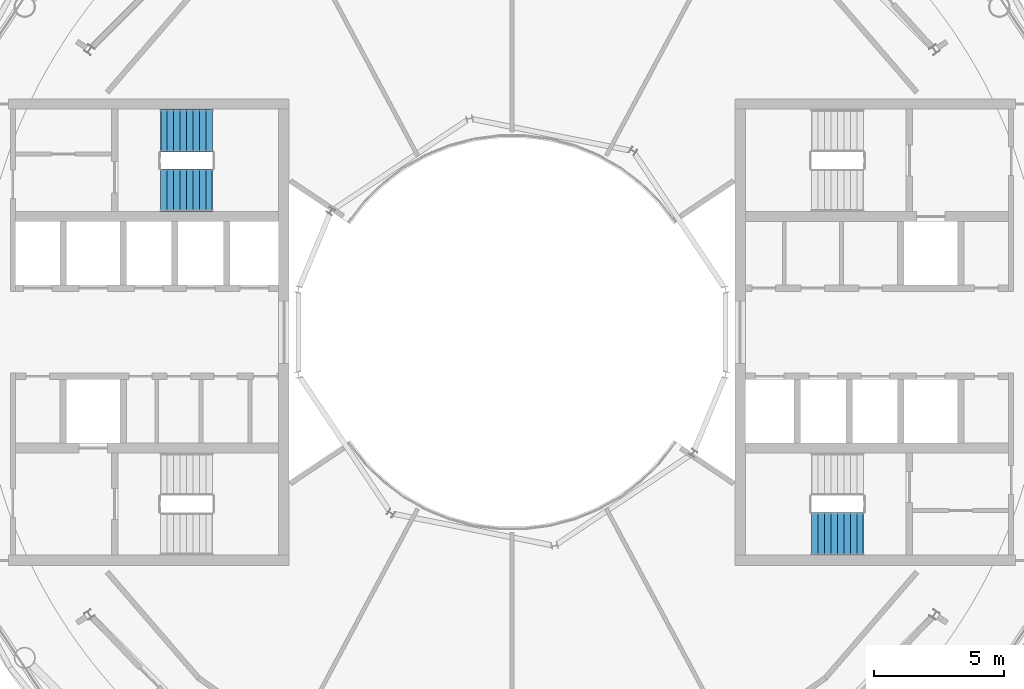
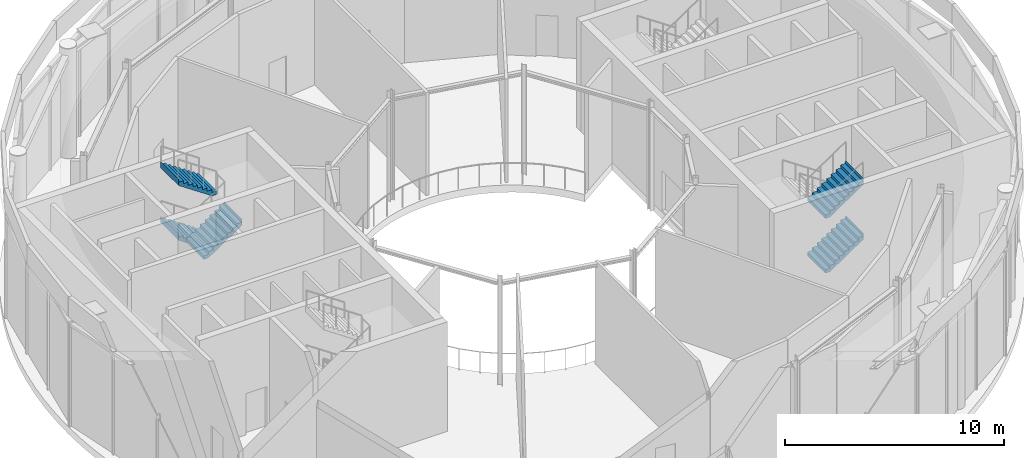
# One storey, part 16 of 20: 5 stair flights, 2 elements without a shape of their own.
"""IFC4 building model written with IfcOpenShell, lengths in metres."""

from ifc_helpers import new_model, si_unit, direction, frame, origin, place, context, subcontext, project, spatial, triangles, material, type_object, element, aggregate, save


model = new_model("IFC4")

# Units and contexts
model_context = context("Model", 3, precision=1e-05, world=origin(), true_north=direction((0.0, 1.0)))
body_context = subcontext(model_context, "Body", "Model", "MODEL_VIEW")
ifc_project = project(units=[si_unit("LENGTHUNIT", "METRE"), si_unit("AREAUNIT", "SQUARE_METRE"), si_unit("VOLUMEUNIT", "CUBIC_METRE"), si_unit("PLANEANGLEUNIT", "RADIAN"), si_unit("MASSUNIT", "GRAM", prefix="KILO")], contexts=[model_context])

# Site, building, storey
site_placement = place(None, origin())
site = spatial("IfcSite", under=ifc_project, at=site_placement, CompositionType="ELEMENT")
building_placement = place(site_placement, origin())
building = spatial("IfcBuilding", under=site, at=building_placement, Name="Maasbend Ring Residences", CompositionType="ELEMENT")
storey_placement = place(building_placement, frame((0.0, 0.0, 255.39990234375)))
storey = spatial("IfcBuildingStorey", under=building, at=storey_placement, Name="L74", CompositionType="ELEMENT", Elevation=255.39990234375)

# Stair, stair flights
ifc_material_1 = material(Name="Concrete C40/50", Category="concrete")
stair_type = type_object("IfcStairType", Name="CORE STAIR 36 RISERS", PredefinedType="HALF_TURN_STAIR", material=ifc_material_1)
stair_1_placement = place(storey_placement, origin())
stair_1 = element("IfcStair", 1, at=stair_1_placement, inside=storey, type_object=stair_type, Name="L74 Exit stair ST-E2", PredefinedType="HALF_TURN_STAIR")
ifc_material_2 = material(Name="Concrete C40/50", Category="concrete")
stair_flight_type = type_object("IfcStairFlightType", Name="CORE STAIR FLIGHT 1650", PredefinedType="STRAIGHT", material=ifc_material_2)
stair_flight_1_placement = place(storey_placement, frame((11.550048828125, -7.77490234375, 1.525146484375), z_axis=(0.0, 0.0, 1.0), x_axis=(1.0, 0.0, 0.0)))
stair_flight_1 = element("IfcStairFlight", 2, at=stair_flight_1_placement, type_object=stair_flight_type, Name="ST-E2 flight 2", NumberOfRisers=9, NumberOfTreads=8, PredefinedType="STRAIGHT", RiserHeight=0.169444444, TreadLength=0.25, context=body_context, shape_type="Tessellation", body=[
    triangles([(0.24072265625, 0.824951171875, -0.02001953125), (2.0029296875, 0.824951171875, 1.174560546875), (2.0029296875, 0.824951171875, 1.52490234375), (1.989990234375, 0.824951171875, 1.35546875), (1.75, 0.824951171875, 1.35546875), (1.75, 0.824951171875, 1.18603515625), (1.5, 0.824951171875, 1.18603515625), (1.5, 0.824951171875, 1.0166015625), (1.25, 0.824951171875, 1.0166015625), (1.25, 0.824951171875, 0.84716796875), (1.0, 0.824951171875, 0.84716796875), (1.0, 0.824951171875, 0.677734375), (0.75, 0.824951171875, 0.677734375), (0.75, 0.824951171875, 0.50830078125), (0.5, 0.824951171875, 0.50830078125), (0.5, 0.824951171875, 0.3388671875), (0.25, 0.824951171875, 0.3388671875), (0.25, 0.824951171875, 0.16943359375), (0.0, 0.824951171875, 0.16943359375), (0.0, 0.824951171875, 0.0), (-0.0029296875, 0.824951171875, 0.0), (-0.0029296875, 0.824951171875, -0.02001953125), (0.24072265625, 0.27490234375, -0.02001953125), (2.0029296875, 0.27490234375, 1.174560546875), (2.0029296875, 0.27490234375, 1.52490234375), (1.989990234375, 0.27490234375, 1.35546875), (1.75, 0.27490234375, 1.35546875), (1.75, 0.27490234375, 1.18603515625), (1.5, 0.27490234375, 1.18603515625), (1.5, 0.27490234375, 1.0166015625), (1.25, 0.27490234375, 1.0166015625), (1.25, 0.27490234375, 0.84716796875), (1.0, 0.27490234375, 0.84716796875), (1.0, 0.27490234375, 0.677734375), (0.75, 0.27490234375, 0.677734375), (0.75, 0.27490234375, 0.50830078125), (0.5, 0.27490234375, 0.50830078125), (0.5, 0.27490234375, 0.3388671875), (0.25, 0.27490234375, 0.3388671875), (0.25, 0.27490234375, 0.16943359375), (0.0, 0.27490234375, 0.16943359375), (0.0, 0.27490234375, 0.0), (-0.0029296875, 0.27490234375, 0.0), (-0.0029296875, 0.27490234375, -0.02001953125), (0.24072265625, -0.27490234375, -0.02001953125), (2.0029296875, -0.27490234375, 1.174560546875), (2.0029296875, -0.27490234375, 1.52490234375), (1.989990234375, -0.27490234375, 1.35546875), (1.75, -0.27490234375, 1.35546875), (1.75, -0.27490234375, 1.18603515625), (1.5, -0.27490234375, 1.18603515625), (1.5, -0.27490234375, 1.0166015625), (1.25, -0.27490234375, 1.0166015625), (1.25, -0.27490234375, 0.84716796875), (1.0, -0.27490234375, 0.84716796875), (1.0, -0.27490234375, 0.677734375), (0.75, -0.27490234375, 0.677734375), (0.75, -0.27490234375, 0.50830078125), (0.5, -0.27490234375, 0.50830078125), (0.5, -0.27490234375, 0.3388671875), (0.25, -0.27490234375, 0.3388671875), (0.25, -0.27490234375, 0.16943359375), (0.0, -0.27490234375, 0.16943359375), (0.0, -0.27490234375, 0.0), (-0.0029296875, -0.27490234375, 0.0), (-0.0029296875, -0.27490234375, -0.02001953125), (0.24072265625, -0.824951171875, -0.02001953125), (2.0029296875, -0.824951171875, 1.174560546875), (2.0029296875, -0.824951171875, 1.52490234375), (1.989990234375, -0.824951171875, 1.35546875), (1.75, -0.824951171875, 1.35546875), (1.75, -0.824951171875, 1.18603515625), (1.5, -0.824951171875, 1.18603515625), (1.5, -0.824951171875, 1.0166015625), (1.25, -0.824951171875, 1.0166015625), (1.25, -0.824951171875, 0.84716796875), (1.0, -0.824951171875, 0.84716796875), (1.0, -0.824951171875, 0.677734375), (0.75, -0.824951171875, 0.677734375), (0.75, -0.824951171875, 0.50830078125), (0.5, -0.824951171875, 0.50830078125), (0.5, -0.824951171875, 0.3388671875), (0.25, -0.824951171875, 0.3388671875), (0.25, -0.824951171875, 0.16943359375), (0.0, -0.824951171875, 0.16943359375), (0.0, -0.824951171875, 0.0), (-0.0029296875, -0.824951171875, 0.0), (-0.0029296875, -0.824951171875, -0.02001953125)], [[1, 2, 24], [1, 24, 23], [23, 24, 46], [23, 46, 45], [45, 46, 68], [45, 68, 67], [2, 3, 25], [2, 25, 24], [24, 25, 47], [24, 47, 46], [46, 47, 69], [46, 69, 68], [3, 4, 26], [3, 26, 25], [25, 26, 48], [25, 48, 47], [47, 48, 70], [47, 70, 69], [4, 5, 27], [4, 27, 26], [26, 27, 49], [26, 49, 48], [48, 49, 71], [48, 71, 70], [5, 6, 28], [5, 28, 27], [27, 28, 50], [27, 50, 49], [49, 50, 72], [49, 72, 71], [6, 7, 29], [6, 29, 28], [28, 29, 51], [28, 51, 50], [50, 51, 73], [50, 73, 72], [7, 8, 30], [7, 30, 29], [29, 30, 52], [29, 52, 51], [51, 52, 74], [51, 74, 73], [8, 9, 31], [8, 31, 30], [30, 31, 53], [30, 53, 52], [52, 53, 75], [52, 75, 74], [9, 10, 32], [9, 32, 31], [31, 32, 54], [31, 54, 53], [53, 54, 76], [53, 76, 75], [10, 11, 33], [10, 33, 32], [32, 33, 55], [32, 55, 54], [54, 55, 77], [54, 77, 76], [11, 12, 34], [11, 34, 33], [33, 34, 56], [33, 56, 55], [55, 56, 78], [55, 78, 77], [12, 13, 35], [12, 35, 34], [34, 35, 57], [34, 57, 56], [56, 57, 79], [56, 79, 78], [13, 14, 36], [13, 36, 35], [35, 36, 58], [35, 58, 57], [57, 58, 80], [57, 80, 79], [14, 15, 37], [14, 37, 36], [36, 37, 59], [36, 59, 58], [58, 59, 81], [58, 81, 80], [15, 16, 38], [15, 38, 37], [37, 38, 60], [37, 60, 59], [59, 60, 82], [59, 82, 81], [16, 17, 39], [16, 39, 38], [38, 39, 61], [38, 61, 60], [60, 61, 83], [60, 83, 82], [17, 18, 40], [17, 40, 39], [39, 40, 62], [39, 62, 61], [61, 62, 84], [61, 84, 83], [18, 19, 41], [18, 41, 40], [40, 41, 63], [40, 63, 62], [62, 63, 85], [62, 85, 84], [19, 20, 42], [19, 42, 41], [41, 42, 64], [41, 64, 63], [63, 64, 86], [63, 86, 85], [20, 21, 43], [20, 43, 42], [42, 43, 65], [42, 65, 64], [64, 65, 87], [64, 87, 86], [21, 22, 44], [21, 44, 43], [43, 44, 66], [43, 66, 65], [65, 66, 88], [65, 88, 87], [22, 1, 23], [22, 23, 44], [44, 23, 45], [44, 45, 66], [66, 45, 67], [66, 67, 88], [22, 2, 1], [2, 4, 3], [2, 5, 4], [2, 6, 5], [22, 6, 2], [6, 8, 7], [22, 8, 6], [8, 10, 9], [22, 10, 8], [10, 12, 11], [22, 12, 10], [12, 14, 13], [22, 14, 12], [14, 16, 15], [22, 16, 14], [16, 18, 17], [22, 18, 16], [18, 20, 19], [22, 20, 18], [20, 22, 21], [88, 67, 68], [68, 69, 70], [68, 70, 71], [68, 71, 72], [88, 68, 72], [72, 73, 74], [88, 72, 74], [74, 75, 76], [88, 74, 76], [76, 77, 78], [88, 76, 78], [78, 79, 80], [88, 78, 80], [80, 81, 82], [88, 80, 82], [82, 83, 84], [88, 82, 84], [84, 85, 86], [88, 84, 86], [86, 87, 88]], closed=True),
])
stair_flight_2_placement = place(storey_placement, frame((11.550048828125, -7.77490234375, 4.5751953125), z_axis=(0.0, 0.0, 1.0), x_axis=(1.0, 0.0, 0.0)))
stair_flight_2 = element("IfcStairFlight", 3, at=stair_flight_2_placement, type_object=stair_flight_type, Name="ST-E2 flight 4", NumberOfRisers=9, NumberOfTreads=8, PredefinedType="STRAIGHT", RiserHeight=0.169444444, TreadLength=0.25, context=body_context, shape_type="Tessellation", body=[
    triangles([(0.24072265625, 0.824951171875, -0.02001953125), (2.0029296875, 0.824951171875, 1.174560546875), (2.0029296875, 0.824951171875, 1.52490234375), (1.989990234375, 0.824951171875, 1.35546875), (1.75, 0.824951171875, 1.35546875), (1.75, 0.824951171875, 1.18603515625), (1.5, 0.824951171875, 1.18603515625), (1.5, 0.824951171875, 1.0166015625), (1.25, 0.824951171875, 1.0166015625), (1.25, 0.824951171875, 0.84716796875), (1.0, 0.824951171875, 0.84716796875), (1.0, 0.824951171875, 0.677734375), (0.75, 0.824951171875, 0.677734375), (0.75, 0.824951171875, 0.50830078125), (0.5, 0.824951171875, 0.50830078125), (0.5, 0.824951171875, 0.3388671875), (0.25, 0.824951171875, 0.3388671875), (0.25, 0.824951171875, 0.16943359375), (0.0, 0.824951171875, 0.16943359375), (0.0, 0.824951171875, 0.0), (-0.0029296875, 0.824951171875, 0.0), (-0.0029296875, 0.824951171875, -0.02001953125), (0.24072265625, 0.27490234375, -0.02001953125), (2.0029296875, 0.27490234375, 1.174560546875), (2.0029296875, 0.27490234375, 1.52490234375), (1.989990234375, 0.27490234375, 1.35546875), (1.75, 0.27490234375, 1.35546875), (1.75, 0.27490234375, 1.18603515625), (1.5, 0.27490234375, 1.18603515625), (1.5, 0.27490234375, 1.0166015625), (1.25, 0.27490234375, 1.0166015625), (1.25, 0.27490234375, 0.84716796875), (1.0, 0.27490234375, 0.84716796875), (1.0, 0.27490234375, 0.677734375), (0.75, 0.27490234375, 0.677734375), (0.75, 0.27490234375, 0.50830078125), (0.5, 0.27490234375, 0.50830078125), (0.5, 0.27490234375, 0.3388671875), (0.25, 0.27490234375, 0.3388671875), (0.25, 0.27490234375, 0.16943359375), (0.0, 0.27490234375, 0.16943359375), (0.0, 0.27490234375, 0.0), (-0.0029296875, 0.27490234375, 0.0), (-0.0029296875, 0.27490234375, -0.02001953125), (0.24072265625, -0.27490234375, -0.02001953125), (2.0029296875, -0.27490234375, 1.174560546875), (2.0029296875, -0.27490234375, 1.52490234375), (1.989990234375, -0.27490234375, 1.35546875), (1.75, -0.27490234375, 1.35546875), (1.75, -0.27490234375, 1.18603515625), (1.5, -0.27490234375, 1.18603515625), (1.5, -0.27490234375, 1.0166015625), (1.25, -0.27490234375, 1.0166015625), (1.25, -0.27490234375, 0.84716796875), (1.0, -0.27490234375, 0.84716796875), (1.0, -0.27490234375, 0.677734375), (0.75, -0.27490234375, 0.677734375), (0.75, -0.27490234375, 0.50830078125), (0.5, -0.27490234375, 0.50830078125), (0.5, -0.27490234375, 0.3388671875), (0.25, -0.27490234375, 0.3388671875), (0.25, -0.27490234375, 0.16943359375), (0.0, -0.27490234375, 0.16943359375), (0.0, -0.27490234375, 0.0), (-0.0029296875, -0.27490234375, 0.0), (-0.0029296875, -0.27490234375, -0.02001953125), (0.24072265625, -0.824951171875, -0.02001953125), (2.0029296875, -0.824951171875, 1.174560546875), (2.0029296875, -0.824951171875, 1.52490234375), (1.989990234375, -0.824951171875, 1.35546875), (1.75, -0.824951171875, 1.35546875), (1.75, -0.824951171875, 1.18603515625), (1.5, -0.824951171875, 1.18603515625), (1.5, -0.824951171875, 1.0166015625), (1.25, -0.824951171875, 1.0166015625), (1.25, -0.824951171875, 0.84716796875), (1.0, -0.824951171875, 0.84716796875), (1.0, -0.824951171875, 0.677734375), (0.75, -0.824951171875, 0.677734375), (0.75, -0.824951171875, 0.50830078125), (0.5, -0.824951171875, 0.50830078125), (0.5, -0.824951171875, 0.3388671875), (0.25, -0.824951171875, 0.3388671875), (0.25, -0.824951171875, 0.16943359375), (0.0, -0.824951171875, 0.16943359375), (0.0, -0.824951171875, 0.0), (-0.0029296875, -0.824951171875, 0.0), (-0.0029296875, -0.824951171875, -0.02001953125)], [[1, 2, 24], [1, 24, 23], [23, 24, 46], [23, 46, 45], [45, 46, 68], [45, 68, 67], [2, 3, 25], [2, 25, 24], [24, 25, 47], [24, 47, 46], [46, 47, 69], [46, 69, 68], [3, 4, 26], [3, 26, 25], [25, 26, 48], [25, 48, 47], [47, 48, 70], [47, 70, 69], [4, 5, 27], [4, 27, 26], [26, 27, 49], [26, 49, 48], [48, 49, 71], [48, 71, 70], [5, 6, 28], [5, 28, 27], [27, 28, 50], [27, 50, 49], [49, 50, 72], [49, 72, 71], [6, 7, 29], [6, 29, 28], [28, 29, 51], [28, 51, 50], [50, 51, 73], [50, 73, 72], [7, 8, 30], [7, 30, 29], [29, 30, 52], [29, 52, 51], [51, 52, 74], [51, 74, 73], [8, 9, 31], [8, 31, 30], [30, 31, 53], [30, 53, 52], [52, 53, 75], [52, 75, 74], [9, 10, 32], [9, 32, 31], [31, 32, 54], [31, 54, 53], [53, 54, 76], [53, 76, 75], [10, 11, 33], [10, 33, 32], [32, 33, 55], [32, 55, 54], [54, 55, 77], [54, 77, 76], [11, 12, 34], [11, 34, 33], [33, 34, 56], [33, 56, 55], [55, 56, 78], [55, 78, 77], [12, 13, 35], [12, 35, 34], [34, 35, 57], [34, 57, 56], [56, 57, 79], [56, 79, 78], [13, 14, 36], [13, 36, 35], [35, 36, 58], [35, 58, 57], [57, 58, 80], [57, 80, 79], [14, 15, 37], [14, 37, 36], [36, 37, 59], [36, 59, 58], [58, 59, 81], [58, 81, 80], [15, 16, 38], [15, 38, 37], [37, 38, 60], [37, 60, 59], [59, 60, 82], [59, 82, 81], [16, 17, 39], [16, 39, 38], [38, 39, 61], [38, 61, 60], [60, 61, 83], [60, 83, 82], [17, 18, 40], [17, 40, 39], [39, 40, 62], [39, 62, 61], [61, 62, 84], [61, 84, 83], [18, 19, 41], [18, 41, 40], [40, 41, 63], [40, 63, 62], [62, 63, 85], [62, 85, 84], [19, 20, 42], [19, 42, 41], [41, 42, 64], [41, 64, 63], [63, 64, 86], [63, 86, 85], [20, 21, 43], [20, 43, 42], [42, 43, 65], [42, 65, 64], [64, 65, 87], [64, 87, 86], [21, 22, 44], [21, 44, 43], [43, 44, 66], [43, 66, 65], [65, 66, 88], [65, 88, 87], [22, 1, 23], [22, 23, 44], [44, 23, 45], [44, 45, 66], [66, 45, 67], [66, 67, 88], [22, 2, 1], [2, 4, 3], [2, 5, 4], [2, 6, 5], [22, 6, 2], [6, 8, 7], [22, 8, 6], [8, 10, 9], [22, 10, 8], [10, 12, 11], [22, 12, 10], [12, 14, 13], [22, 14, 12], [14, 16, 15], [22, 16, 14], [16, 18, 17], [22, 18, 16], [18, 20, 19], [22, 20, 18], [20, 22, 21], [88, 67, 68], [68, 69, 70], [68, 70, 71], [68, 71, 72], [88, 68, 72], [72, 73, 74], [88, 72, 74], [74, 75, 76], [88, 74, 76], [76, 77, 78], [88, 76, 78], [78, 79, 80], [88, 78, 80], [80, 81, 82], [88, 80, 82], [82, 83, 84], [88, 82, 84], [84, 85, 86], [88, 84, 86], [86, 87, 88]], closed=True),
])
aggregate(stair_1, [stair_flight_1, stair_flight_2])

stair_2_placement = place(storey_placement, origin())
stair_2 = element("IfcStair", 4, at=stair_2_placement, inside=storey, type_object=stair_type, Name="L74 Exit stair ST-W2", PredefinedType="HALF_TURN_STAIR")
stair_flight_3_placement = place(storey_placement, frame((-11.550048828125, 7.77490234375, 1.525146484375), z_axis=(0.0, 0.0, 1.0), x_axis=(-1.0, 0.0, 0.0)))
stair_flight_3 = element("IfcStairFlight", 5, at=stair_flight_3_placement, type_object=stair_flight_type, Name="ST-W2 flight 2", NumberOfRisers=9, NumberOfTreads=8, PredefinedType="STRAIGHT", RiserHeight=0.169444444, TreadLength=0.25, context=body_context, shape_type="Tessellation", body=[
    triangles([(0.24072265625, 0.824951171875, -0.02001953125), (2.0029296875, 0.824951171875, 1.174560546875), (2.0029296875, 0.824951171875, 1.52490234375), (1.989990234375, 0.824951171875, 1.35546875), (1.75, 0.824951171875, 1.35546875), (1.75, 0.824951171875, 1.18603515625), (1.5, 0.824951171875, 1.18603515625), (1.5, 0.824951171875, 1.0166015625), (1.25, 0.824951171875, 1.0166015625), (1.25, 0.824951171875, 0.84716796875), (1.0, 0.824951171875, 0.84716796875), (1.0, 0.824951171875, 0.677734375), (0.75, 0.824951171875, 0.677734375), (0.75, 0.824951171875, 0.50830078125), (0.5, 0.824951171875, 0.50830078125), (0.5, 0.824951171875, 0.3388671875), (0.25, 0.824951171875, 0.3388671875), (0.25, 0.824951171875, 0.16943359375), (0.0, 0.824951171875, 0.16943359375), (0.0, 0.824951171875, 0.0), (-0.0029296875, 0.824951171875, 0.0), (-0.0029296875, 0.824951171875, -0.02001953125), (0.24072265625, 0.27490234375, -0.02001953125), (2.0029296875, 0.27490234375, 1.174560546875), (2.0029296875, 0.27490234375, 1.52490234375), (1.989990234375, 0.27490234375, 1.35546875), (1.75, 0.27490234375, 1.35546875), (1.75, 0.27490234375, 1.18603515625), (1.5, 0.27490234375, 1.18603515625), (1.5, 0.27490234375, 1.0166015625), (1.25, 0.27490234375, 1.0166015625), (1.25, 0.27490234375, 0.84716796875), (1.0, 0.27490234375, 0.84716796875), (1.0, 0.27490234375, 0.677734375), (0.75, 0.27490234375, 0.677734375), (0.75, 0.27490234375, 0.50830078125), (0.5, 0.27490234375, 0.50830078125), (0.5, 0.27490234375, 0.3388671875), (0.25, 0.27490234375, 0.3388671875), (0.25, 0.27490234375, 0.16943359375), (0.0, 0.27490234375, 0.16943359375), (0.0, 0.27490234375, 0.0), (-0.0029296875, 0.27490234375, 0.0), (-0.0029296875, 0.27490234375, -0.02001953125), (0.24072265625, -0.27490234375, -0.02001953125), (2.0029296875, -0.27490234375, 1.174560546875), (2.0029296875, -0.27490234375, 1.52490234375), (1.989990234375, -0.27490234375, 1.35546875), (1.75, -0.27490234375, 1.35546875), (1.75, -0.27490234375, 1.18603515625), (1.5, -0.27490234375, 1.18603515625), (1.5, -0.27490234375, 1.0166015625), (1.25, -0.27490234375, 1.0166015625), (1.25, -0.27490234375, 0.84716796875), (1.0, -0.27490234375, 0.84716796875), (1.0, -0.27490234375, 0.677734375), (0.75, -0.27490234375, 0.677734375), (0.75, -0.27490234375, 0.50830078125), (0.5, -0.27490234375, 0.50830078125), (0.5, -0.27490234375, 0.3388671875), (0.25, -0.27490234375, 0.3388671875), (0.25, -0.27490234375, 0.16943359375), (0.0, -0.27490234375, 0.16943359375), (0.0, -0.27490234375, 0.0), (-0.0029296875, -0.27490234375, 0.0), (-0.0029296875, -0.27490234375, -0.02001953125), (0.24072265625, -0.824951171875, -0.02001953125), (2.0029296875, -0.824951171875, 1.174560546875), (2.0029296875, -0.824951171875, 1.52490234375), (1.989990234375, -0.824951171875, 1.35546875), (1.75, -0.824951171875, 1.35546875), (1.75, -0.824951171875, 1.18603515625), (1.5, -0.824951171875, 1.18603515625), (1.5, -0.824951171875, 1.0166015625), (1.25, -0.824951171875, 1.0166015625), (1.25, -0.824951171875, 0.84716796875), (1.0, -0.824951171875, 0.84716796875), (1.0, -0.824951171875, 0.677734375), (0.75, -0.824951171875, 0.677734375), (0.75, -0.824951171875, 0.50830078125), (0.5, -0.824951171875, 0.50830078125), (0.5, -0.824951171875, 0.3388671875), (0.25, -0.824951171875, 0.3388671875), (0.25, -0.824951171875, 0.16943359375), (0.0, -0.824951171875, 0.16943359375), (0.0, -0.824951171875, 0.0), (-0.0029296875, -0.824951171875, 0.0), (-0.0029296875, -0.824951171875, -0.02001953125)], [[1, 2, 24], [1, 24, 23], [23, 24, 46], [23, 46, 45], [45, 46, 68], [45, 68, 67], [2, 3, 25], [2, 25, 24], [24, 25, 47], [24, 47, 46], [46, 47, 69], [46, 69, 68], [3, 4, 26], [3, 26, 25], [25, 26, 48], [25, 48, 47], [47, 48, 70], [47, 70, 69], [4, 5, 27], [4, 27, 26], [26, 27, 49], [26, 49, 48], [48, 49, 71], [48, 71, 70], [5, 6, 28], [5, 28, 27], [27, 28, 50], [27, 50, 49], [49, 50, 72], [49, 72, 71], [6, 7, 29], [6, 29, 28], [28, 29, 51], [28, 51, 50], [50, 51, 73], [50, 73, 72], [7, 8, 30], [7, 30, 29], [29, 30, 52], [29, 52, 51], [51, 52, 74], [51, 74, 73], [8, 9, 31], [8, 31, 30], [30, 31, 53], [30, 53, 52], [52, 53, 75], [52, 75, 74], [9, 10, 32], [9, 32, 31], [31, 32, 54], [31, 54, 53], [53, 54, 76], [53, 76, 75], [10, 11, 33], [10, 33, 32], [32, 33, 55], [32, 55, 54], [54, 55, 77], [54, 77, 76], [11, 12, 34], [11, 34, 33], [33, 34, 56], [33, 56, 55], [55, 56, 78], [55, 78, 77], [12, 13, 35], [12, 35, 34], [34, 35, 57], [34, 57, 56], [56, 57, 79], [56, 79, 78], [13, 14, 36], [13, 36, 35], [35, 36, 58], [35, 58, 57], [57, 58, 80], [57, 80, 79], [14, 15, 37], [14, 37, 36], [36, 37, 59], [36, 59, 58], [58, 59, 81], [58, 81, 80], [15, 16, 38], [15, 38, 37], [37, 38, 60], [37, 60, 59], [59, 60, 82], [59, 82, 81], [16, 17, 39], [16, 39, 38], [38, 39, 61], [38, 61, 60], [60, 61, 83], [60, 83, 82], [17, 18, 40], [17, 40, 39], [39, 40, 62], [39, 62, 61], [61, 62, 84], [61, 84, 83], [18, 19, 41], [18, 41, 40], [40, 41, 63], [40, 63, 62], [62, 63, 85], [62, 85, 84], [19, 20, 42], [19, 42, 41], [41, 42, 64], [41, 64, 63], [63, 64, 86], [63, 86, 85], [20, 21, 43], [20, 43, 42], [42, 43, 65], [42, 65, 64], [64, 65, 87], [64, 87, 86], [21, 22, 44], [21, 44, 43], [43, 44, 66], [43, 66, 65], [65, 66, 88], [65, 88, 87], [22, 1, 23], [22, 23, 44], [44, 23, 45], [44, 45, 66], [66, 45, 67], [66, 67, 88], [22, 2, 1], [2, 4, 3], [2, 5, 4], [2, 6, 5], [22, 6, 2], [6, 8, 7], [22, 8, 6], [8, 10, 9], [22, 10, 8], [10, 12, 11], [22, 12, 10], [12, 14, 13], [22, 14, 12], [14, 16, 15], [22, 16, 14], [16, 18, 17], [22, 18, 16], [18, 20, 19], [22, 20, 18], [20, 22, 21], [88, 67, 68], [68, 69, 70], [68, 70, 71], [68, 71, 72], [88, 68, 72], [72, 73, 74], [88, 72, 74], [74, 75, 76], [88, 74, 76], [76, 77, 78], [88, 76, 78], [78, 79, 80], [88, 78, 80], [80, 81, 82], [88, 80, 82], [82, 83, 84], [88, 82, 84], [84, 85, 86], [88, 84, 86], [86, 87, 88]], closed=True),
])
stair_flight_4_placement = place(storey_placement, frame((-13.550048828125, 5.47509765625, 3.050048828125), z_axis=(0.0, 0.0, 1.0), x_axis=(1.0, 0.0, 0.0)))
stair_flight_4 = element("IfcStairFlight", 6, at=stair_flight_4_placement, type_object=stair_flight_type, Name="ST-W2 flight 3", NumberOfRisers=9, NumberOfTreads=8, PredefinedType="STRAIGHT", RiserHeight=0.169444444, TreadLength=0.25, context=body_context, shape_type="Tessellation", body=[
    triangles([(0.24072265625, 0.824951171875, -0.02001953125), (2.0029296875, 0.824951171875, 1.174560546875), (2.0029296875, 0.824951171875, 1.52490234375), (1.989990234375, 0.824951171875, 1.35546875), (1.75, 0.824951171875, 1.35546875), (1.75, 0.824951171875, 1.18603515625), (1.5, 0.824951171875, 1.18603515625), (1.5, 0.824951171875, 1.0166015625), (1.25, 0.824951171875, 1.0166015625), (1.25, 0.824951171875, 0.84716796875), (1.0, 0.824951171875, 0.84716796875), (1.0, 0.824951171875, 0.677734375), (0.75, 0.824951171875, 0.677734375), (0.75, 0.824951171875, 0.50830078125), (0.5, 0.824951171875, 0.50830078125), (0.5, 0.824951171875, 0.3388671875), (0.25, 0.824951171875, 0.3388671875), (0.25, 0.824951171875, 0.16943359375), (0.0, 0.824951171875, 0.16943359375), (0.0, 0.824951171875, 0.0), (-0.0029296875, 0.824951171875, 0.0), (-0.0029296875, 0.824951171875, -0.02001953125), (0.24072265625, 0.27490234375, -0.02001953125), (2.0029296875, 0.27490234375, 1.174560546875), (2.0029296875, 0.27490234375, 1.52490234375), (1.989990234375, 0.27490234375, 1.35546875), (1.75, 0.27490234375, 1.35546875), (1.75, 0.27490234375, 1.18603515625), (1.5, 0.27490234375, 1.18603515625), (1.5, 0.27490234375, 1.0166015625), (1.25, 0.27490234375, 1.0166015625), (1.25, 0.27490234375, 0.84716796875), (1.0, 0.27490234375, 0.84716796875), (1.0, 0.27490234375, 0.677734375), (0.75, 0.27490234375, 0.677734375), (0.75, 0.27490234375, 0.50830078125), (0.5, 0.27490234375, 0.50830078125), (0.5, 0.27490234375, 0.3388671875), (0.25, 0.27490234375, 0.3388671875), (0.25, 0.27490234375, 0.16943359375), (0.0, 0.27490234375, 0.16943359375), (0.0, 0.27490234375, 0.0), (-0.0029296875, 0.27490234375, 0.0), (-0.0029296875, 0.27490234375, -0.02001953125), (0.24072265625, -0.27490234375, -0.02001953125), (2.0029296875, -0.27490234375, 1.174560546875), (2.0029296875, -0.27490234375, 1.52490234375), (1.989990234375, -0.27490234375, 1.35546875), (1.75, -0.27490234375, 1.35546875), (1.75, -0.27490234375, 1.18603515625), (1.5, -0.27490234375, 1.18603515625), (1.5, -0.27490234375, 1.0166015625), (1.25, -0.27490234375, 1.0166015625), (1.25, -0.27490234375, 0.84716796875), (1.0, -0.27490234375, 0.84716796875), (1.0, -0.27490234375, 0.677734375), (0.75, -0.27490234375, 0.677734375), (0.75, -0.27490234375, 0.50830078125), (0.5, -0.27490234375, 0.50830078125), (0.5, -0.27490234375, 0.3388671875), (0.25, -0.27490234375, 0.3388671875), (0.25, -0.27490234375, 0.16943359375), (0.0, -0.27490234375, 0.16943359375), (0.0, -0.27490234375, 0.0), (-0.0029296875, -0.27490234375, 0.0), (-0.0029296875, -0.27490234375, -0.02001953125), (0.24072265625, -0.824951171875, -0.02001953125), (2.0029296875, -0.824951171875, 1.174560546875), (2.0029296875, -0.824951171875, 1.52490234375), (1.989990234375, -0.824951171875, 1.35546875), (1.75, -0.824951171875, 1.35546875), (1.75, -0.824951171875, 1.18603515625), (1.5, -0.824951171875, 1.18603515625), (1.5, -0.824951171875, 1.0166015625), (1.25, -0.824951171875, 1.0166015625), (1.25, -0.824951171875, 0.84716796875), (1.0, -0.824951171875, 0.84716796875), (1.0, -0.824951171875, 0.677734375), (0.75, -0.824951171875, 0.677734375), (0.75, -0.824951171875, 0.50830078125), (0.5, -0.824951171875, 0.50830078125), (0.5, -0.824951171875, 0.3388671875), (0.25, -0.824951171875, 0.3388671875), (0.25, -0.824951171875, 0.16943359375), (0.0, -0.824951171875, 0.16943359375), (0.0, -0.824951171875, 0.0), (-0.0029296875, -0.824951171875, 0.0), (-0.0029296875, -0.824951171875, -0.02001953125)], [[1, 2, 24], [1, 24, 23], [23, 24, 46], [23, 46, 45], [45, 46, 68], [45, 68, 67], [2, 3, 25], [2, 25, 24], [24, 25, 47], [24, 47, 46], [46, 47, 69], [46, 69, 68], [3, 4, 26], [3, 26, 25], [25, 26, 48], [25, 48, 47], [47, 48, 70], [47, 70, 69], [4, 5, 27], [4, 27, 26], [26, 27, 49], [26, 49, 48], [48, 49, 71], [48, 71, 70], [5, 6, 28], [5, 28, 27], [27, 28, 50], [27, 50, 49], [49, 50, 72], [49, 72, 71], [6, 7, 29], [6, 29, 28], [28, 29, 51], [28, 51, 50], [50, 51, 73], [50, 73, 72], [7, 8, 30], [7, 30, 29], [29, 30, 52], [29, 52, 51], [51, 52, 74], [51, 74, 73], [8, 9, 31], [8, 31, 30], [30, 31, 53], [30, 53, 52], [52, 53, 75], [52, 75, 74], [9, 10, 32], [9, 32, 31], [31, 32, 54], [31, 54, 53], [53, 54, 76], [53, 76, 75], [10, 11, 33], [10, 33, 32], [32, 33, 55], [32, 55, 54], [54, 55, 77], [54, 77, 76], [11, 12, 34], [11, 34, 33], [33, 34, 56], [33, 56, 55], [55, 56, 78], [55, 78, 77], [12, 13, 35], [12, 35, 34], [34, 35, 57], [34, 57, 56], [56, 57, 79], [56, 79, 78], [13, 14, 36], [13, 36, 35], [35, 36, 58], [35, 58, 57], [57, 58, 80], [57, 80, 79], [14, 15, 37], [14, 37, 36], [36, 37, 59], [36, 59, 58], [58, 59, 81], [58, 81, 80], [15, 16, 38], [15, 38, 37], [37, 38, 60], [37, 60, 59], [59, 60, 82], [59, 82, 81], [16, 17, 39], [16, 39, 38], [38, 39, 61], [38, 61, 60], [60, 61, 83], [60, 83, 82], [17, 18, 40], [17, 40, 39], [39, 40, 62], [39, 62, 61], [61, 62, 84], [61, 84, 83], [18, 19, 41], [18, 41, 40], [40, 41, 63], [40, 63, 62], [62, 63, 85], [62, 85, 84], [19, 20, 42], [19, 42, 41], [41, 42, 64], [41, 64, 63], [63, 64, 86], [63, 86, 85], [20, 21, 43], [20, 43, 42], [42, 43, 65], [42, 65, 64], [64, 65, 87], [64, 87, 86], [21, 22, 44], [21, 44, 43], [43, 44, 66], [43, 66, 65], [65, 66, 88], [65, 88, 87], [22, 1, 23], [22, 23, 44], [44, 23, 45], [44, 45, 66], [66, 45, 67], [66, 67, 88], [22, 2, 1], [2, 4, 3], [2, 5, 4], [2, 6, 5], [22, 6, 2], [6, 8, 7], [22, 8, 6], [8, 10, 9], [22, 10, 8], [10, 12, 11], [22, 12, 10], [12, 14, 13], [22, 14, 12], [14, 16, 15], [22, 16, 14], [16, 18, 17], [22, 18, 16], [18, 20, 19], [22, 20, 18], [20, 22, 21], [88, 67, 68], [68, 69, 70], [68, 70, 71], [68, 71, 72], [88, 68, 72], [72, 73, 74], [88, 72, 74], [74, 75, 76], [88, 74, 76], [76, 77, 78], [88, 76, 78], [78, 79, 80], [88, 78, 80], [80, 81, 82], [88, 80, 82], [82, 83, 84], [88, 82, 84], [84, 85, 86], [88, 84, 86], [86, 87, 88]], closed=True),
])
stair_flight_5_placement = place(storey_placement, frame((-11.550048828125, 7.77490234375, 4.5751953125), z_axis=(0.0, 0.0, 1.0), x_axis=(-1.0, 0.0, 0.0)))
stair_flight_5 = element("IfcStairFlight", 7, at=stair_flight_5_placement, type_object=stair_flight_type, Name="ST-W2 flight 4", NumberOfRisers=9, NumberOfTreads=8, PredefinedType="STRAIGHT", RiserHeight=0.169444444, TreadLength=0.25, context=body_context, shape_type="Tessellation", body=[
    triangles([(0.24072265625, 0.824951171875, -0.02001953125), (2.0029296875, 0.824951171875, 1.174560546875), (2.0029296875, 0.824951171875, 1.52490234375), (1.989990234375, 0.824951171875, 1.35546875), (1.75, 0.824951171875, 1.35546875), (1.75, 0.824951171875, 1.18603515625), (1.5, 0.824951171875, 1.18603515625), (1.5, 0.824951171875, 1.0166015625), (1.25, 0.824951171875, 1.0166015625), (1.25, 0.824951171875, 0.84716796875), (1.0, 0.824951171875, 0.84716796875), (1.0, 0.824951171875, 0.677734375), (0.75, 0.824951171875, 0.677734375), (0.75, 0.824951171875, 0.50830078125), (0.5, 0.824951171875, 0.50830078125), (0.5, 0.824951171875, 0.3388671875), (0.25, 0.824951171875, 0.3388671875), (0.25, 0.824951171875, 0.16943359375), (0.0, 0.824951171875, 0.16943359375), (0.0, 0.824951171875, 0.0), (-0.0029296875, 0.824951171875, 0.0), (-0.0029296875, 0.824951171875, -0.02001953125), (0.24072265625, 0.27490234375, -0.02001953125), (2.0029296875, 0.27490234375, 1.174560546875), (2.0029296875, 0.27490234375, 1.52490234375), (1.989990234375, 0.27490234375, 1.35546875), (1.75, 0.27490234375, 1.35546875), (1.75, 0.27490234375, 1.18603515625), (1.5, 0.27490234375, 1.18603515625), (1.5, 0.27490234375, 1.0166015625), (1.25, 0.27490234375, 1.0166015625), (1.25, 0.27490234375, 0.84716796875), (1.0, 0.27490234375, 0.84716796875), (1.0, 0.27490234375, 0.677734375), (0.75, 0.27490234375, 0.677734375), (0.75, 0.27490234375, 0.50830078125), (0.5, 0.27490234375, 0.50830078125), (0.5, 0.27490234375, 0.3388671875), (0.25, 0.27490234375, 0.3388671875), (0.25, 0.27490234375, 0.16943359375), (0.0, 0.27490234375, 0.16943359375), (0.0, 0.27490234375, 0.0), (-0.0029296875, 0.27490234375, 0.0), (-0.0029296875, 0.27490234375, -0.02001953125), (0.24072265625, -0.27490234375, -0.02001953125), (2.0029296875, -0.27490234375, 1.174560546875), (2.0029296875, -0.27490234375, 1.52490234375), (1.989990234375, -0.27490234375, 1.35546875), (1.75, -0.27490234375, 1.35546875), (1.75, -0.27490234375, 1.18603515625), (1.5, -0.27490234375, 1.18603515625), (1.5, -0.27490234375, 1.0166015625), (1.25, -0.27490234375, 1.0166015625), (1.25, -0.27490234375, 0.84716796875), (1.0, -0.27490234375, 0.84716796875), (1.0, -0.27490234375, 0.677734375), (0.75, -0.27490234375, 0.677734375), (0.75, -0.27490234375, 0.50830078125), (0.5, -0.27490234375, 0.50830078125), (0.5, -0.27490234375, 0.3388671875), (0.25, -0.27490234375, 0.3388671875), (0.25, -0.27490234375, 0.16943359375), (0.0, -0.27490234375, 0.16943359375), (0.0, -0.27490234375, 0.0), (-0.0029296875, -0.27490234375, 0.0), (-0.0029296875, -0.27490234375, -0.02001953125), (0.24072265625, -0.824951171875, -0.02001953125), (2.0029296875, -0.824951171875, 1.174560546875), (2.0029296875, -0.824951171875, 1.52490234375), (1.989990234375, -0.824951171875, 1.35546875), (1.75, -0.824951171875, 1.35546875), (1.75, -0.824951171875, 1.18603515625), (1.5, -0.824951171875, 1.18603515625), (1.5, -0.824951171875, 1.0166015625), (1.25, -0.824951171875, 1.0166015625), (1.25, -0.824951171875, 0.84716796875), (1.0, -0.824951171875, 0.84716796875), (1.0, -0.824951171875, 0.677734375), (0.75, -0.824951171875, 0.677734375), (0.75, -0.824951171875, 0.50830078125), (0.5, -0.824951171875, 0.50830078125), (0.5, -0.824951171875, 0.3388671875), (0.25, -0.824951171875, 0.3388671875), (0.25, -0.824951171875, 0.16943359375), (0.0, -0.824951171875, 0.16943359375), (0.0, -0.824951171875, 0.0), (-0.0029296875, -0.824951171875, 0.0), (-0.0029296875, -0.824951171875, -0.02001953125)], [[1, 2, 24], [1, 24, 23], [23, 24, 46], [23, 46, 45], [45, 46, 68], [45, 68, 67], [2, 3, 25], [2, 25, 24], [24, 25, 47], [24, 47, 46], [46, 47, 69], [46, 69, 68], [3, 4, 26], [3, 26, 25], [25, 26, 48], [25, 48, 47], [47, 48, 70], [47, 70, 69], [4, 5, 27], [4, 27, 26], [26, 27, 49], [26, 49, 48], [48, 49, 71], [48, 71, 70], [5, 6, 28], [5, 28, 27], [27, 28, 50], [27, 50, 49], [49, 50, 72], [49, 72, 71], [6, 7, 29], [6, 29, 28], [28, 29, 51], [28, 51, 50], [50, 51, 73], [50, 73, 72], [7, 8, 30], [7, 30, 29], [29, 30, 52], [29, 52, 51], [51, 52, 74], [51, 74, 73], [8, 9, 31], [8, 31, 30], [30, 31, 53], [30, 53, 52], [52, 53, 75], [52, 75, 74], [9, 10, 32], [9, 32, 31], [31, 32, 54], [31, 54, 53], [53, 54, 76], [53, 76, 75], [10, 11, 33], [10, 33, 32], [32, 33, 55], [32, 55, 54], [54, 55, 77], [54, 77, 76], [11, 12, 34], [11, 34, 33], [33, 34, 56], [33, 56, 55], [55, 56, 78], [55, 78, 77], [12, 13, 35], [12, 35, 34], [34, 35, 57], [34, 57, 56], [56, 57, 79], [56, 79, 78], [13, 14, 36], [13, 36, 35], [35, 36, 58], [35, 58, 57], [57, 58, 80], [57, 80, 79], [14, 15, 37], [14, 37, 36], [36, 37, 59], [36, 59, 58], [58, 59, 81], [58, 81, 80], [15, 16, 38], [15, 38, 37], [37, 38, 60], [37, 60, 59], [59, 60, 82], [59, 82, 81], [16, 17, 39], [16, 39, 38], [38, 39, 61], [38, 61, 60], [60, 61, 83], [60, 83, 82], [17, 18, 40], [17, 40, 39], [39, 40, 62], [39, 62, 61], [61, 62, 84], [61, 84, 83], [18, 19, 41], [18, 41, 40], [40, 41, 63], [40, 63, 62], [62, 63, 85], [62, 85, 84], [19, 20, 42], [19, 42, 41], [41, 42, 64], [41, 64, 63], [63, 64, 86], [63, 86, 85], [20, 21, 43], [20, 43, 42], [42, 43, 65], [42, 65, 64], [64, 65, 87], [64, 87, 86], [21, 22, 44], [21, 44, 43], [43, 44, 66], [43, 66, 65], [65, 66, 88], [65, 88, 87], [22, 1, 23], [22, 23, 44], [44, 23, 45], [44, 45, 66], [66, 45, 67], [66, 67, 88], [22, 2, 1], [2, 4, 3], [2, 5, 4], [2, 6, 5], [22, 6, 2], [6, 8, 7], [22, 8, 6], [8, 10, 9], [22, 10, 8], [10, 12, 11], [22, 12, 10], [12, 14, 13], [22, 14, 12], [14, 16, 15], [22, 16, 14], [16, 18, 17], [22, 18, 16], [18, 20, 19], [22, 20, 18], [20, 22, 21], [88, 67, 68], [68, 69, 70], [68, 70, 71], [68, 71, 72], [88, 68, 72], [72, 73, 74], [88, 72, 74], [74, 75, 76], [88, 74, 76], [76, 77, 78], [88, 76, 78], [78, 79, 80], [88, 78, 80], [80, 81, 82], [88, 80, 82], [82, 83, 84], [88, 82, 84], [84, 85, 86], [88, 84, 86], [86, 87, 88]], closed=True),
])
aggregate(stair_2, [stair_flight_3, stair_flight_4, stair_flight_5])

save(model, "model.ifc")
